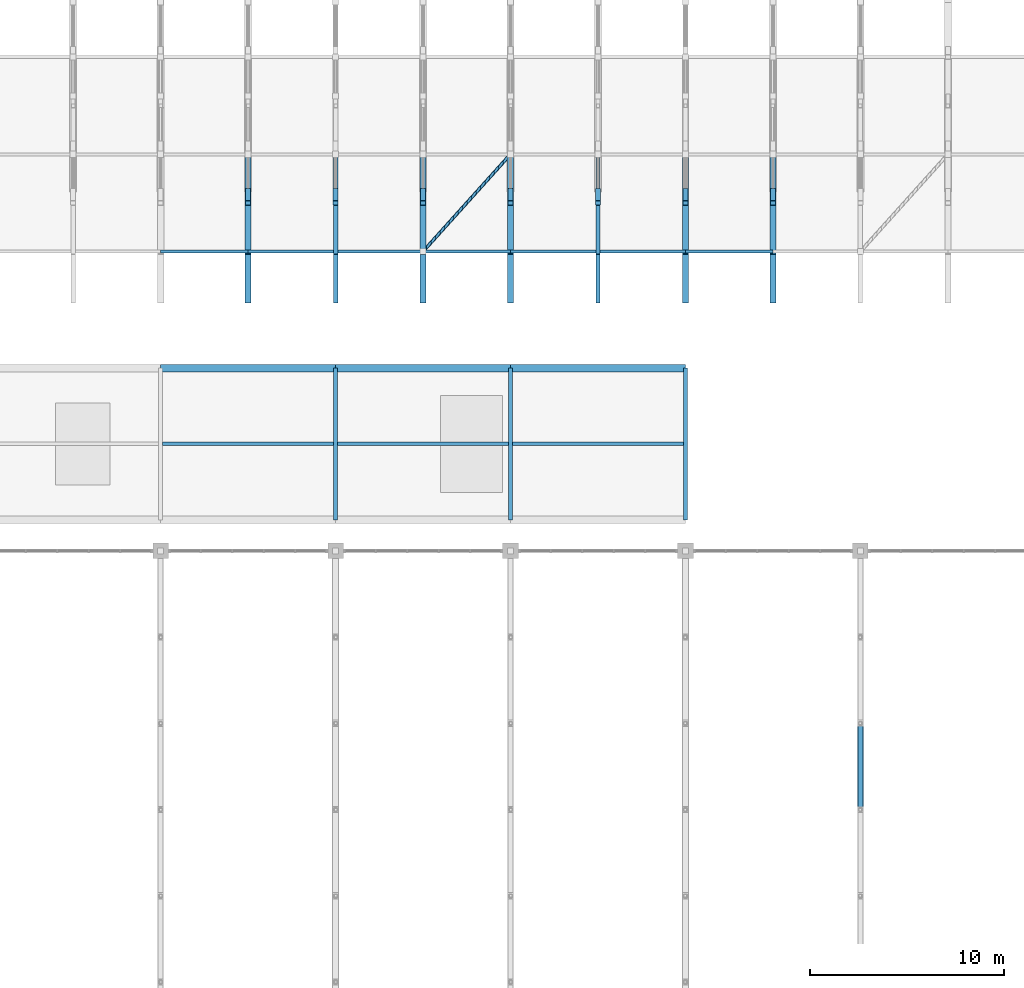
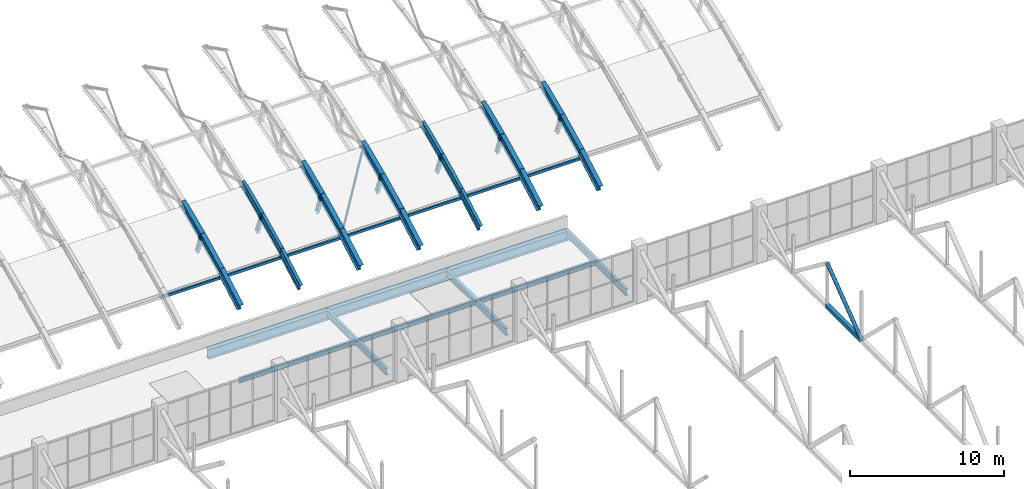
# One storey, part 58 of 103: 30 beams, 17 members.
"""IFC4 building model written with IfcOpenShell, lengths in metres."""

from ifc_helpers import new_model, si_unit, direction, frame, origin, origin_2d, place, context, subcontext, project, spatial, hollow_rectangle, hollow_circle, i_section, extrude, material, material_profile, profile_set, type_object, element, save


model = new_model("IFC4")

# Units and contexts
model_context = context("Model", 3, precision=1e-05, world=origin(), true_north=direction((0.0, 1.0)))
body_context = subcontext(model_context, "Body", "Model", "MODEL_VIEW")
ifc_project = project(units=[si_unit("LENGTHUNIT", "METRE"), si_unit("AREAUNIT", "SQUARE_METRE"), si_unit("VOLUMEUNIT", "CUBIC_METRE"), si_unit("PLANEANGLEUNIT", "RADIAN"), si_unit("MASSUNIT", "GRAM", prefix="KILO")], contexts=[model_context])

# Site, building, storey
site_placement = place(None, origin())
site = spatial("IfcSite", under=ifc_project, at=site_placement, CompositionType="ELEMENT")
building_placement = place(site_placement, origin())
building = spatial("IfcBuilding", under=site, at=building_placement, Name="Cazmaro Siding Exhibition Halls", CompositionType="ELEMENT")
storey_placement = place(building_placement, frame((0.0, 0.0, 16.5)))
storey = spatial("IfcBuildingStorey", under=building, at=storey_placement, Name="L03", CompositionType="ELEMENT", Elevation=16.5)

# Beams
ifc_material_1 = material(Name="Steel ASTM A992 Grade 50", Category="steel")
ifc_material_profile_1 = material_profile(ifc_material_1, i_section(OverallWidth=0.327880859375, OverallDepth=0.626953125, WebThickness=0.01708984375, FlangeThickness=0.028076171875, at=origin_2d()), Name="W24X146")
ifc_profile_set_1 = profile_set([ifc_material_profile_1], Name="Steel ASTM A992 Grade 50")
beam_type_1 = type_object("IfcBeamType", Name="AR-01", PredefinedType="USERDEFINED", material=ifc_profile_set_1)
beam_1_placement = place(storey_placement, frame((139.5, 66.5, -0.60693359375), z_axis=(0.0, 0.871320907359, 0.490713639916), x_axis=(-1.0, 0.0, 0.0)))
element("IfcBeam", 1, at=beam_1_placement, inside=storey, type_object=beam_type_1, Name="Space frame barrel vault arched rib AR-01 BM-1040", ObjectType="ARCHED RIB", PredefinedType="USERDEFINED", context=body_context, shape_type="SweptSolid", body=[
    extrude(i_section(OverallWidth=0.327880859375, OverallDepth=0.626953125, WebThickness=0.01708984375, FlangeThickness=0.028076171875, at=origin_2d()), origin(), (0.0, 0.0, 1.0), 2.869140625),
])
beam_2_placement = place(storey_placement, frame((139.5, 69.0, 0.801025390625), z_axis=(0.0, 0.895996638269, 0.444060833908), x_axis=(-1.0, 0.0, 0.0)))
element("IfcBeam", 2, at=beam_2_placement, inside=storey, type_object=beam_type_1, Name="Space frame barrel vault arched rib AR-01 BM-1041", ObjectType="ARCHED RIB", PredefinedType="USERDEFINED", context=body_context, shape_type="SweptSolid", body=[
    extrude(i_section(OverallWidth=0.327880859375, OverallDepth=0.626953125, WebThickness=0.01708984375, FlangeThickness=0.028076171875, at=origin_2d()), origin(), (0.0, 0.0, 1.0), 2.790283203125),
])
beam_3_placement = place(storey_placement, frame((139.5, 71.5, 2.0400390625), z_axis=(0.0, 0.917729918626, 0.397204980405), x_axis=(-1.0, 0.0, 0.0)))
element("IfcBeam", 3, at=beam_3_placement, inside=storey, type_object=beam_type_1, Name="Space frame barrel vault arched rib AR-01 BM-1042", ObjectType="ARCHED RIB", PredefinedType="USERDEFINED", context=body_context, shape_type="SweptSolid", body=[
    extrude(i_section(OverallWidth=0.327880859375, OverallDepth=0.626953125, WebThickness=0.01708984375, FlangeThickness=0.028076171875, at=origin_2d()), origin(), (0.0, 0.0, 1.0), 2.72412109375),
])
beam_4_placement = place(storey_placement, frame((153.0, 66.5, -0.60693359375), z_axis=(0.0, 0.871320907359, 0.490713639916), x_axis=(-1.0, 0.0, 0.0)))
element("IfcBeam", 4, at=beam_4_placement, inside=storey, type_object=beam_type_1, Name="Space frame barrel vault arched rib AR-01 BM-1112", ObjectType="ARCHED RIB", PredefinedType="USERDEFINED", context=body_context, shape_type="SweptSolid", body=[
    extrude(i_section(OverallWidth=0.327880859375, OverallDepth=0.626953125, WebThickness=0.01708984375, FlangeThickness=0.028076171875, at=origin_2d()), origin(), (0.0, 0.0, 1.0), 2.869140625),
])
beam_5_placement = place(storey_placement, frame((153.0, 69.0, 0.801025390625), z_axis=(0.0, 0.895996638269, 0.444060833908), x_axis=(-1.0, 0.0, 0.0)))
element("IfcBeam", 5, at=beam_5_placement, inside=storey, type_object=beam_type_1, Name="Space frame barrel vault arched rib AR-01 BM-1113", ObjectType="ARCHED RIB", PredefinedType="USERDEFINED", context=body_context, shape_type="SweptSolid", body=[
    extrude(i_section(OverallWidth=0.327880859375, OverallDepth=0.626953125, WebThickness=0.01708984375, FlangeThickness=0.028076171875, at=origin_2d()), origin(), (0.0, 0.0, 1.0), 2.790283203125),
])
beam_6_placement = place(storey_placement, frame((153.0, 71.5, 2.0400390625), z_axis=(0.0, 0.917729918626, 0.397204980405), x_axis=(-1.0, 0.0, 0.0)))
element("IfcBeam", 6, at=beam_6_placement, inside=storey, type_object=beam_type_1, Name="Space frame barrel vault arched rib AR-01 BM-1114", ObjectType="ARCHED RIB", PredefinedType="USERDEFINED", context=body_context, shape_type="SweptSolid", body=[
    extrude(i_section(OverallWidth=0.327880859375, OverallDepth=0.626953125, WebThickness=0.01708984375, FlangeThickness=0.028076171875, at=origin_2d()), origin(), (0.0, 0.0, 1.0), 2.72412109375),
])
ifc_material_2 = material(Name="Steel ASTM A992 Grade 50", Category="steel")
ifc_material_profile_2 = material_profile(ifc_material_2, i_section(OverallWidth=0.324951171875, OverallDepth=0.612060546875, WebThickness=0.012939453125, FlangeThickness=0.01904296875, at=origin_2d()), Name="W24X104")
ifc_profile_set_2 = profile_set([ifc_material_profile_2], Name="Steel ASTM A992 Grade 50")
beam_type_2 = type_object("IfcBeamType", Name="AR-02", PredefinedType="USERDEFINED", material=ifc_profile_set_2)
beam_7_placement = place(storey_placement, frame((130.5, 66.5, -0.60693359375), z_axis=(0.0, 0.871320907359, 0.490713639916), x_axis=(-1.0, 0.0, 0.0)))
element("IfcBeam", 7, at=beam_7_placement, inside=storey, type_object=beam_type_2, Name="Space frame barrel vault arched rib AR-02 BM-0992", ObjectType="ARCHED RIB", PredefinedType="USERDEFINED", context=body_context, shape_type="SweptSolid", body=[
    extrude(i_section(OverallWidth=0.324951171875, OverallDepth=0.612060546875, WebThickness=0.012939453125, FlangeThickness=0.01904296875, at=origin_2d()), origin(), (0.0, 0.0, 1.0), 2.869140625),
])
beam_8_placement = place(storey_placement, frame((130.5, 69.0, 0.801025390625), z_axis=(0.0, 0.895996638269, 0.444060833908), x_axis=(-1.0, 0.0, 0.0)))
element("IfcBeam", 8, at=beam_8_placement, inside=storey, type_object=beam_type_2, Name="Space frame barrel vault arched rib AR-02 BM-0993", ObjectType="ARCHED RIB", PredefinedType="USERDEFINED", context=body_context, shape_type="SweptSolid", body=[
    extrude(i_section(OverallWidth=0.324951171875, OverallDepth=0.612060546875, WebThickness=0.012939453125, FlangeThickness=0.01904296875, at=origin_2d()), origin(), (0.0, 0.0, 1.0), 2.790283203125),
])
beam_9_placement = place(storey_placement, frame((130.5, 71.5, 2.0400390625), z_axis=(0.0, 0.917729918626, 0.397204980405), x_axis=(-1.0, 0.0, 0.0)))
element("IfcBeam", 9, at=beam_9_placement, inside=storey, type_object=beam_type_2, Name="Space frame barrel vault arched rib AR-02 BM-0994", ObjectType="ARCHED RIB", PredefinedType="USERDEFINED", context=body_context, shape_type="SweptSolid", body=[
    extrude(i_section(OverallWidth=0.324951171875, OverallDepth=0.612060546875, WebThickness=0.012939453125, FlangeThickness=0.01904296875, at=origin_2d()), origin(), (0.0, 0.0, 1.0), 2.72412109375),
])
beam_10_placement = place(storey_placement, frame((144.0, 66.5, -0.60693359375), z_axis=(0.0, 0.871320907359, 0.490713639916), x_axis=(-1.0, 0.0, 0.0)))
element("IfcBeam", 10, at=beam_10_placement, inside=storey, type_object=beam_type_2, Name="Space frame barrel vault arched rib AR-02 BM-1064", ObjectType="ARCHED RIB", PredefinedType="USERDEFINED", context=body_context, shape_type="SweptSolid", body=[
    extrude(i_section(OverallWidth=0.324951171875, OverallDepth=0.612060546875, WebThickness=0.012939453125, FlangeThickness=0.01904296875, at=origin_2d()), origin(), (0.0, 0.0, 1.0), 2.869140625),
])
beam_11_placement = place(storey_placement, frame((144.0, 69.0, 0.801025390625), z_axis=(0.0, 0.895996638269, 0.444060833908), x_axis=(-1.0, 0.0, 0.0)))
element("IfcBeam", 11, at=beam_11_placement, inside=storey, type_object=beam_type_2, Name="Space frame barrel vault arched rib AR-02 BM-1065", ObjectType="ARCHED RIB", PredefinedType="USERDEFINED", context=body_context, shape_type="SweptSolid", body=[
    extrude(i_section(OverallWidth=0.324951171875, OverallDepth=0.612060546875, WebThickness=0.012939453125, FlangeThickness=0.01904296875, at=origin_2d()), origin(), (0.0, 0.0, 1.0), 2.790283203125),
])
beam_12_placement = place(storey_placement, frame((144.0, 71.5, 2.0400390625), z_axis=(0.0, 0.917729918626, 0.397204980405), x_axis=(-1.0, 0.0, 0.0)))
element("IfcBeam", 12, at=beam_12_placement, inside=storey, type_object=beam_type_2, Name="Space frame barrel vault arched rib AR-02 BM-1066", ObjectType="ARCHED RIB", PredefinedType="USERDEFINED", context=body_context, shape_type="SweptSolid", body=[
    extrude(i_section(OverallWidth=0.324951171875, OverallDepth=0.612060546875, WebThickness=0.012939453125, FlangeThickness=0.01904296875, at=origin_2d()), origin(), (0.0, 0.0, 1.0), 2.72412109375),
])
beam_13_placement = place(storey_placement, frame((157.5, 66.5, -0.60693359375), z_axis=(0.0, 0.871320907359, 0.490713639916), x_axis=(-1.0, 0.0, 0.0)))
element("IfcBeam", 13, at=beam_13_placement, inside=storey, type_object=beam_type_2, Name="Space frame barrel vault arched rib AR-02 BM-1136", ObjectType="ARCHED RIB", PredefinedType="USERDEFINED", context=body_context, shape_type="SweptSolid", body=[
    extrude(i_section(OverallWidth=0.324951171875, OverallDepth=0.612060546875, WebThickness=0.012939453125, FlangeThickness=0.01904296875, at=origin_2d()), origin(), (0.0, 0.0, 1.0), 2.869140625),
])
beam_14_placement = place(storey_placement, frame((157.5, 69.0, 0.801025390625), z_axis=(0.0, 0.895996638269, 0.444060833908), x_axis=(-1.0, 0.0, 0.0)))
element("IfcBeam", 14, at=beam_14_placement, inside=storey, type_object=beam_type_2, Name="Space frame barrel vault arched rib AR-02 BM-1137", ObjectType="ARCHED RIB", PredefinedType="USERDEFINED", context=body_context, shape_type="SweptSolid", body=[
    extrude(i_section(OverallWidth=0.324951171875, OverallDepth=0.612060546875, WebThickness=0.012939453125, FlangeThickness=0.01904296875, at=origin_2d()), origin(), (0.0, 0.0, 1.0), 2.790283203125),
])
beam_15_placement = place(storey_placement, frame((157.5, 71.5, 2.0400390625), z_axis=(0.0, 0.917729918626, 0.397204980405), x_axis=(-1.0, 0.0, 0.0)))
element("IfcBeam", 15, at=beam_15_placement, inside=storey, type_object=beam_type_2, Name="Space frame barrel vault arched rib AR-02 BM-1138", ObjectType="ARCHED RIB", PredefinedType="USERDEFINED", context=body_context, shape_type="SweptSolid", body=[
    extrude(i_section(OverallWidth=0.324951171875, OverallDepth=0.612060546875, WebThickness=0.012939453125, FlangeThickness=0.01904296875, at=origin_2d()), origin(), (0.0, 0.0, 1.0), 2.72412109375),
])
ifc_material_3 = material(Name="Steel ASTM A992 Grade 50", Category="steel")
ifc_material_profile_3 = material_profile(ifc_material_3, i_section(OverallWidth=0.22900390625, OverallDepth=0.612060546875, WebThickness=0.011962890625, FlangeThickness=0.02001953125, at=origin_2d()), Name="W24X84")
ifc_profile_set_3 = profile_set([ifc_material_profile_3], Name="Steel ASTM A992 Grade 50")
beam_type_3 = type_object("IfcBeamType", Name="AR-03", PredefinedType="USERDEFINED", material=ifc_profile_set_3)
beam_16_placement = place(storey_placement, frame((135.0, 66.5, -0.60693359375), z_axis=(0.0, 0.871320907359, 0.490713639916), x_axis=(-1.0, 0.0, 0.0)))
element("IfcBeam", 16, at=beam_16_placement, inside=storey, type_object=beam_type_3, Name="Space frame barrel vault arched rib AR-03 BM-1016", ObjectType="ARCHED RIB", PredefinedType="USERDEFINED", context=body_context, shape_type="SweptSolid", body=[
    extrude(i_section(OverallWidth=0.22900390625, OverallDepth=0.612060546875, WebThickness=0.011962890625, FlangeThickness=0.02001953125, at=origin_2d()), origin(), (0.0, 0.0, 1.0), 2.869140625),
])
beam_17_placement = place(storey_placement, frame((135.0, 69.0, 0.801025390625), z_axis=(0.0, 0.895996638269, 0.444060833908), x_axis=(-1.0, 0.0, 0.0)))
element("IfcBeam", 17, at=beam_17_placement, inside=storey, type_object=beam_type_3, Name="Space frame barrel vault arched rib AR-03 BM-1017", ObjectType="ARCHED RIB", PredefinedType="USERDEFINED", context=body_context, shape_type="SweptSolid", body=[
    extrude(i_section(OverallWidth=0.22900390625, OverallDepth=0.612060546875, WebThickness=0.011962890625, FlangeThickness=0.02001953125, at=origin_2d()), origin(), (0.0, 0.0, 1.0), 2.790283203125),
])
beam_18_placement = place(storey_placement, frame((135.0, 71.5, 2.0400390625), z_axis=(0.0, 0.917729918626, 0.397204980405), x_axis=(-1.0, 0.0, 0.0)))
element("IfcBeam", 18, at=beam_18_placement, inside=storey, type_object=beam_type_3, Name="Space frame barrel vault arched rib AR-03 BM-1018", ObjectType="ARCHED RIB", PredefinedType="USERDEFINED", context=body_context, shape_type="SweptSolid", body=[
    extrude(i_section(OverallWidth=0.22900390625, OverallDepth=0.612060546875, WebThickness=0.011962890625, FlangeThickness=0.02001953125, at=origin_2d()), origin(), (0.0, 0.0, 1.0), 2.72412109375),
])
beam_19_placement = place(storey_placement, frame((148.5, 66.5, -0.60693359375), z_axis=(0.0, 0.871320907359, 0.490713639916), x_axis=(-1.0, 0.0, 0.0)))
element("IfcBeam", 19, at=beam_19_placement, inside=storey, type_object=beam_type_3, Name="Space frame barrel vault arched rib AR-03 BM-1088", ObjectType="ARCHED RIB", PredefinedType="USERDEFINED", context=body_context, shape_type="SweptSolid", body=[
    extrude(i_section(OverallWidth=0.22900390625, OverallDepth=0.612060546875, WebThickness=0.011962890625, FlangeThickness=0.02001953125, at=origin_2d()), origin(), (0.0, 0.0, 1.0), 2.869140625),
])
beam_20_placement = place(storey_placement, frame((148.5, 69.0, 0.801025390625), z_axis=(0.0, 0.895996638269, 0.444060833908), x_axis=(-1.0, 0.0, 0.0)))
element("IfcBeam", 20, at=beam_20_placement, inside=storey, type_object=beam_type_3, Name="Space frame barrel vault arched rib AR-03 BM-1089", ObjectType="ARCHED RIB", PredefinedType="USERDEFINED", context=body_context, shape_type="SweptSolid", body=[
    extrude(i_section(OverallWidth=0.22900390625, OverallDepth=0.612060546875, WebThickness=0.011962890625, FlangeThickness=0.02001953125, at=origin_2d()), origin(), (0.0, 0.0, 1.0), 2.790283203125),
])
beam_21_placement = place(storey_placement, frame((148.5, 71.5, 2.0400390625), z_axis=(0.0, 0.917729918626, 0.397204980405), x_axis=(-1.0, 0.0, 0.0)))
element("IfcBeam", 21, at=beam_21_placement, inside=storey, type_object=beam_type_3, Name="Space frame barrel vault arched rib AR-03 BM-1090", ObjectType="ARCHED RIB", PredefinedType="USERDEFINED", context=body_context, shape_type="SweptSolid", body=[
    extrude(i_section(OverallWidth=0.22900390625, OverallDepth=0.612060546875, WebThickness=0.011962890625, FlangeThickness=0.02001953125, at=origin_2d()), origin(), (0.0, 0.0, 1.0), 2.72412109375),
])
ifc_material_4 = material(Name="Steel ASTM A992 Grade 50", Category="steel")
ifc_material_profile_4 = material_profile(ifc_material_4, i_section(OverallWidth=0.2099609375, OverallDepth=0.535888671875, WebThickness=0.010986328125, FlangeThickness=0.01708984375, at=origin_2d()), Name="W21X68")
ifc_profile_set_4 = profile_set([ifc_material_profile_4], Name="Steel ASTM A992 Grade 50")
beam_type_4 = type_object("IfcBeamType", Name="B-02", PredefinedType="BEAM", material=ifc_profile_set_4)
for number, where, z_axis, x_axis, name in (
    (22, (135.0, 55.199951171875, -0.443115234375), (0.0, 1.0, 0.0), (-1.0, 0.0, 0.0), "Beam B-02 BM-1719"),
    (23, (144.0, 55.199951171875, -0.443115234375), (0.0, 1.0, 0.0), (-1.0, 0.0, 0.0), "Beam B-02 BM-1722"),
    (24, (153.0, 55.199951171875, -0.443115234375), (0.0, 1.0, 0.0), (-1.0, 0.0, 0.0), "Beam B-02 BM-1725"),
):
    element("IfcBeam", number, at=place(storey_placement, frame(where, z_axis=z_axis, x_axis=x_axis)), inside=storey, type_object=beam_type_4, Name=name, PredefinedType="BEAM", context=body_context, shape_type="SweptSolid", body=[
        extrude(i_section(OverallWidth=0.2099609375, OverallDepth=0.535888671875, WebThickness=0.010986328125, FlangeThickness=0.01708984375, at=origin_2d()), origin(), (0.0, 0.0, 1.0), 7.800048828125),
    ])
ifc_material_5 = material(Name="Steel ASTM A992 Grade 50", Category="steel")
ifc_material_profile_5 = material_profile(ifc_material_5, i_section(OverallWidth=0.381103515625, OverallDepth=0.779052734375, WebThickness=0.01806640625, FlangeThickness=0.030029296875, at=origin_2d()), Name="W30X191")
ifc_profile_set_5 = profile_set([ifc_material_profile_5], Name="Steel ASTM A992 Grade 50")
beam_type_5 = type_object("IfcBeamType", Name="G-04", PredefinedType="USERDEFINED", material=ifc_profile_set_5)
for number, where, z_axis, x_axis, name in (
    (25, (126.0, 63.0, -0.56494140625), (1.0, 0.0, 0.0), (0.0, 1.0, 0.0), "Beam G-04 BM-1658"),
    (26, (135.0, 63.0, -0.56494140625), (1.0, 0.0, 0.0), (0.0, 1.0, 0.0), "Beam G-04 BM-1667"),
    (27, (144.0, 63.0, -0.56494140625), (1.0, 0.0, 0.0), (0.0, 1.0, 0.0), "Beam G-04 BM-1676"),
):
    element("IfcBeam", number, at=place(storey_placement, frame(where, z_axis=z_axis, x_axis=x_axis)), inside=storey, type_object=beam_type_5, Name=name, ObjectType="GIRDER", PredefinedType="USERDEFINED", context=body_context, shape_type="SweptSolid", body=[
        extrude(i_section(OverallWidth=0.381103515625, OverallDepth=0.779052734375, WebThickness=0.01806640625, FlangeThickness=0.030029296875, at=origin_2d()), origin(), (0.0, 0.0, 1.0), 9.0),
    ])
ifc_material_6 = material(Name="Steel ASTM A992 Grade 50", Category="steel")
ifc_material_profile_6 = material_profile(ifc_material_6, i_section(OverallWidth=0.177978515625, OverallDepth=0.406005859375, WebThickness=0.008056640625, FlangeThickness=0.012939453125, at=origin_2d()), Name="W16X40")
ifc_profile_set_6 = profile_set([ifc_material_profile_6], Name="Steel ASTM A992 Grade 50")
beam_type_6 = type_object("IfcBeamType", Name="J-02", PredefinedType="JOIST", material=ifc_profile_set_6)
for number, where, z_axis, x_axis, name in (
    (28, (126.10498046875, 59.10009765625, -0.3779296875), (1.0, 0.0, 0.0), (0.0, 1.0, 0.0), "Beam J-02 BM-1659"),
    (29, (135.10498046875, 59.10009765625, -0.3779296875), (1.0, 0.0, 0.0), (0.0, 1.0, 0.0), "Beam J-02 BM-1668"),
    (30, (144.10498046875, 59.10009765625, -0.3779296875), (1.0, 0.0, 0.0), (0.0, 1.0, 0.0), "Beam J-02 BM-1677"),
):
    element("IfcBeam", number, at=place(storey_placement, frame(where, z_axis=z_axis, x_axis=x_axis)), inside=storey, type_object=beam_type_6, Name=name, PredefinedType="JOIST", context=body_context, shape_type="SweptSolid", body=[
        extrude(i_section(OverallWidth=0.177978515625, OverallDepth=0.406005859375, WebThickness=0.008056640625, FlangeThickness=0.012939453125, at=origin_2d()), origin(), (0.0, 0.0, 1.0), 8.7900390625),
    ])

# Members
ifc_material_7 = material(Name="Steel ASTM A500 Grade C", Category="steel")
ifc_material_profile_7 = material_profile(ifc_material_7, hollow_rectangle(XDim=0.152099609375, YDim=0.202880859375, WallThickness=0.011962890625, at=origin_2d()), Name="HSS8X6X1/2")
ifc_profile_set_7 = profile_set([ifc_material_profile_7], Name="Steel ASTM A500 Grade C")
member_type_1 = type_object("IfcMemberType", Name="RP-01", PredefinedType="PURLIN", material=ifc_profile_set_7)
for number, where, z_axis, x_axis, name in (
    (31, (126.0, 69.0, 0.260986328125), (1.0, 0.0, 0.0), (0.0, 1.0, 0.0), "Space frame barrel vault purlin RP-01 MEM-2180"),
    (32, (130.5, 69.0, 0.260986328125), (1.0, 0.0, 0.0), (0.0, 1.0, 0.0), "Space frame barrel vault purlin RP-01 MEM-2191"),
    (33, (135.0, 69.0, 0.260986328125), (1.0, 0.0, 0.0), (0.0, 1.0, 0.0), "Space frame barrel vault purlin RP-01 MEM-2202"),
    (34, (139.5, 69.0, 0.260986328125), (1.0, 0.0, 0.0), (0.0, 1.0, 0.0), "Space frame barrel vault purlin RP-01 MEM-2213"),
    (35, (144.0, 69.0, 0.260986328125), (1.0, 0.0, 0.0), (0.0, 1.0, 0.0), "Space frame barrel vault purlin RP-01 MEM-2230"),
    (36, (148.5, 69.0, 0.260986328125), (1.0, 0.0, 0.0), (0.0, 1.0, 0.0), "Space frame barrel vault purlin RP-01 MEM-2241"),
    (37, (153.0, 69.0, 0.260986328125), (1.0, 0.0, 0.0), (0.0, 1.0, 0.0), "Space frame barrel vault purlin RP-01 MEM-2252"),
):
    element("IfcMember", number, at=place(storey_placement, frame(where, z_axis=z_axis, x_axis=x_axis)), inside=storey, type_object=member_type_1, Name=name, PredefinedType="PURLIN", context=body_context, shape_type="SweptSolid", body=[
        extrude(hollow_rectangle(XDim=0.152099609375, YDim=0.202880859375, WallThickness=0.011962890625, at=origin_2d()), origin(), (0.0, 0.0, 1.0), 4.5),
    ])
ifc_material_8 = material(Name="Steel ASTM A500 Grade C", Category="steel")
ifc_material_profile_8 = material_profile(ifc_material_8, hollow_rectangle(XDim=0.304931640625, YDim=0.304931640625, WallThickness=0.014892578125, at=origin_2d()), Name="HSS12X12X5/8")
ifc_profile_set_8 = profile_set([ifc_material_profile_8], Name="Steel ASTM A500 Grade C")
member_type_2 = type_object("IfcMemberType", Name="TC-02", PredefinedType="CHORD", material=ifc_profile_set_8)
member_1_placement = place(storey_placement, frame((162.0, 40.294921875, 1.699951171875), z_axis=(0.0, 1.0, 0.0), x_axis=(-1.0, 0.0, 0.0)))
element("IfcMember", 38, at=member_1_placement, inside=storey, type_object=member_type_2, Name="Warren roof truss bottom chord TC-02 MEM-2714", PredefinedType="CHORD", context=body_context, shape_type="SweptSolid", body=[
    extrude(hollow_rectangle(XDim=0.304931640625, YDim=0.304931640625, WallThickness=0.014892578125, at=origin_2d()), origin(), (0.0, 0.0, 1.0), 4.43505859375),
])
ifc_material_9 = material(Name="Steel ASTM A992 Grade 50", Category="steel")
ifc_material_profile_9 = material_profile(ifc_material_9, i_section(OverallWidth=0.25390625, OverallDepth=0.25390625, WebThickness=0.009033203125, FlangeThickness=0.013916015625, at=origin_2d()), Name="W10X49")
ifc_profile_set_9 = profile_set([ifc_material_profile_9], Name="Steel ASTM A992 Grade 50")
member_type_3 = type_object("IfcMemberType", Name="TP-04", PredefinedType="POST", material=ifc_profile_set_9)
for number, where, z_axis, x_axis, name in (
    (39, (130.5, 72.131103515625, 0.37890625), (0.0, -0.355155331276, 0.934807301355), (1.0, 0.0, 0.0), "Space frame barrel vault post TP-04 MEM-1352"),
    (40, (135.0, 72.131103515625, 0.37890625), (0.0, -0.355155331276, 0.934807301355), (1.0, 0.0, 0.0), "Space frame barrel vault post TP-04 MEM-1423"),
    (41, (139.5, 72.131103515625, 0.37890625), (0.0, -0.355155331276, 0.934807301355), (1.0, 0.0, 0.0), "Space frame barrel vault post TP-04 MEM-1494"),
    (42, (144.0, 72.131103515625, 0.37890625), (0.0, -0.355155331276, 0.934807301355), (1.0, 0.0, 0.0), "Space frame barrel vault post TP-04 MEM-1565"),
    (43, (148.5, 72.131103515625, 0.37890625), (0.0, -0.355155331276, 0.934807301355), (1.0, 0.0, 0.0), "Space frame barrel vault post TP-04 MEM-1636"),
    (44, (153.0, 72.131103515625, 0.37890625), (0.0, -0.355155331276, 0.934807301355), (1.0, 0.0, 0.0), "Space frame barrel vault post TP-04 MEM-1707"),
    (45, (157.5, 72.131103515625, 0.37890625), (0.0, -0.355155331276, 0.934807301355), (1.0, 0.0, 0.0), "Space frame barrel vault post TP-04 MEM-1778"),
):
    element("IfcMember", number, at=place(storey_placement, frame(where, z_axis=z_axis, x_axis=x_axis)), inside=storey, type_object=member_type_3, Name=name, PredefinedType="POST", context=body_context, shape_type="SweptSolid", body=[
        extrude(i_section(OverallWidth=0.25390625, OverallDepth=0.25390625, WebThickness=0.009033203125, FlangeThickness=0.013916015625, at=origin_2d()), origin(), (0.0, 0.0, 1.0), 1.777099609375),
    ])
ifc_material_10 = material(Name="Steel ASTM A500 Grade C", Category="steel")
ifc_material_profile_10 = material_profile(ifc_material_10, hollow_circle(Radius=0.136474609375, WallThickness=0.012939453125, at=origin_2d()), Name="PIPE10XS")
ifc_profile_set_10 = profile_set([ifc_material_profile_10], Name="Steel ASTM A500 Grade C")
member_type_4 = type_object("IfcMemberType", Name="WB-02", PredefinedType="BRACE", material=ifc_profile_set_10)
member_2_placement = place(storey_placement, frame((162.0, 40.294921875, 1.699951171875), z_axis=(0.0, 0.795954445209, 0.605356524002), x_axis=(-1.0, 0.0, 0.0)))
element("IfcMember", 46, at=member_2_placement, inside=storey, type_object=member_type_4, Name="Warren roof truss diagonal WB-02 MEM-2715", PredefinedType="BRACE", context=body_context, shape_type="SweptSolid", body=[
    extrude(hollow_circle(Radius=0.136474609375, WallThickness=0.012939453125, at=origin_2d()), origin(), (0.0, 0.0, 1.0), 5.572021484375),
])
ifc_material_11 = material(Name="Steel ASTM A500 Grade C", Category="steel")
ifc_material_profile_11 = material_profile(ifc_material_11, hollow_circle(Radius=0.083984375, WallThickness=0.01806640625, at=origin_2d()), Name="PIPE6XXS")
ifc_profile_set_11 = profile_set([ifc_material_profile_11], Name="Steel ASTM A500 Grade C")
member_type_5 = type_object("IfcMemberType", Name="WB-05", PredefinedType="BRACE", material=ifc_profile_set_11)
member_3_placement = place(storey_placement, frame((139.5, 69.0, 0.260986328125), z_axis=(0.632379029545, 0.702643366161, 0.326173363384), x_axis=(-0.743294146247, 0.668964731622, 0.0)))
element("IfcMember", 47, at=member_3_placement, inside=storey, type_object=member_type_5, Name="Space frame barrel vault wind brace WB-05 MEM-2224", PredefinedType="BRACE", context=body_context, shape_type="SweptSolid", body=[
    extrude(hollow_circle(Radius=0.083984375, WallThickness=0.01806640625, at=origin_2d()), origin(), (0.0, 0.0, 1.0), 7.115966796875),
])

save(model, "model.ifc")
